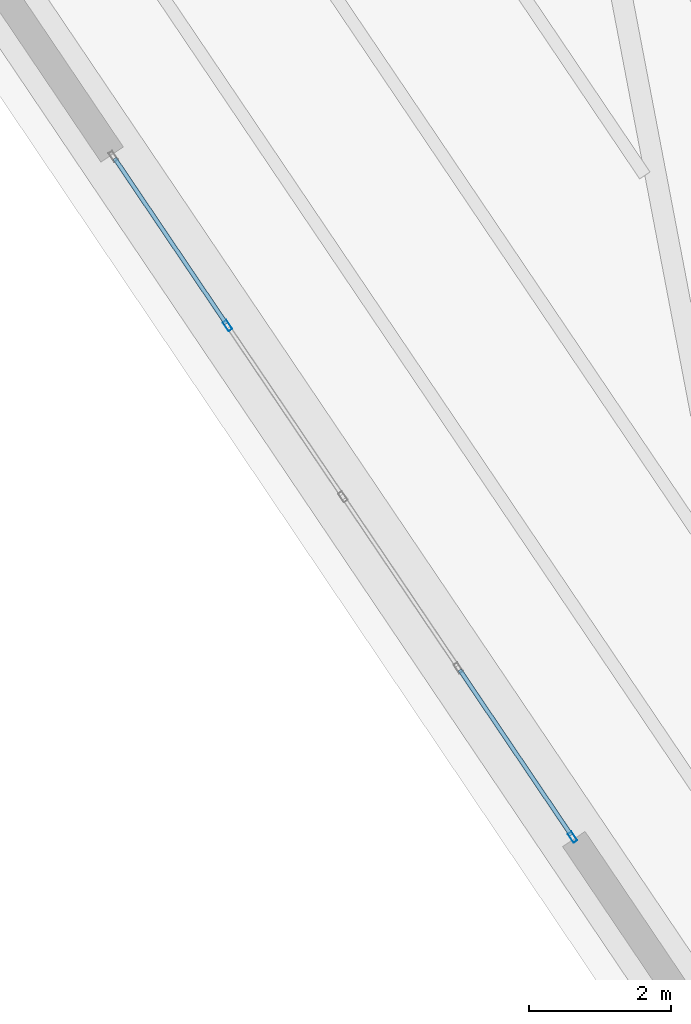
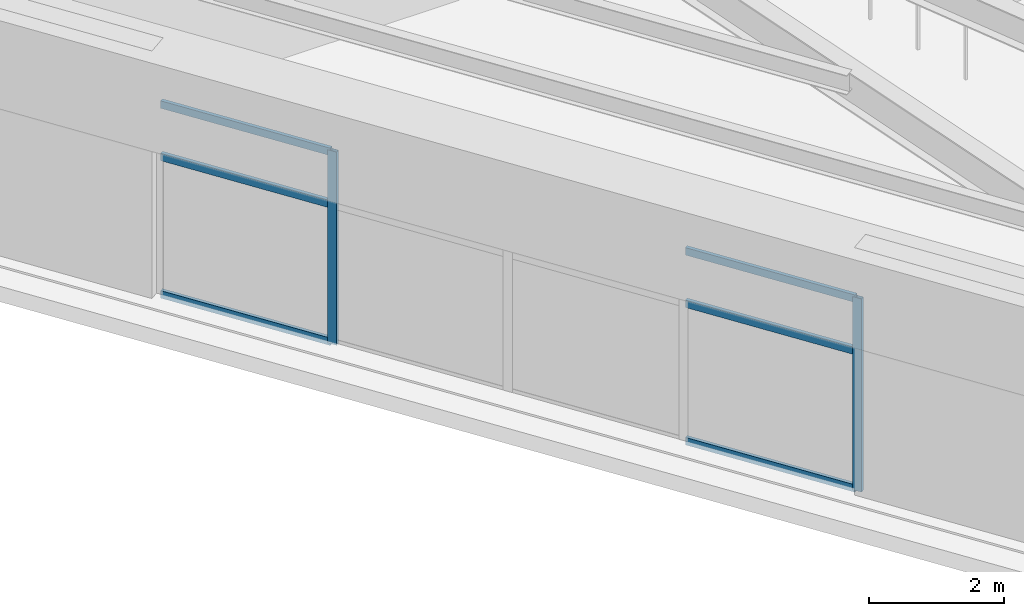
# One storey, part 2 of 40: 8 members, 1 element without a shape of its own.
"""IFC4 building model written with IfcOpenShell, lengths in metres."""

from ifc_helpers import new_model, si_unit, direction, frame, origin, origin_2d, place, context, subcontext, project, spatial, hollow_rectangle, extrude, source, transform, mapped, material, layer, layer_set, material_profile, profile_set, type_object, element, aggregate, save


model = new_model("IFC4")

# Units and contexts
model_context = context("Model", 3, precision=1e-05, world=origin(), true_north=direction((0.0, 1.0)))
body_context = subcontext(model_context, "Body", "Model", "MODEL_VIEW")
ifc_project = project(units=[si_unit("LENGTHUNIT", "METRE"), si_unit("AREAUNIT", "SQUARE_METRE"), si_unit("VOLUMEUNIT", "CUBIC_METRE"), si_unit("PLANEANGLEUNIT", "RADIAN"), si_unit("MASSUNIT", "GRAM", prefix="KILO")], contexts=[model_context])

# Site, building, storey
site_placement = place(None, origin())
site = spatial("IfcSite", under=ifc_project, at=site_placement, CompositionType="ELEMENT")
building_placement = place(site_placement, origin())
building = spatial("IfcBuilding", under=site, at=building_placement, Name="Liaohun Quay Tower", CompositionType="ELEMENT")
storey_placement = place(building_placement, frame((0.0, 0.0, 351.0)))
storey = spatial("IfcBuildingStorey", under=building, at=storey_placement, Name="L91", CompositionType="ELEMENT", Elevation=351.0)

# Curtain wall, members
ifc_material_1 = material(Name="Observation gallery panoramic triple-glazed curtain wall")
ifc_layer = layer(ifc_material_1, 0.219970703125, Name="Observation gallery panoramic triple-glazed curtain wall")
ifc_layer_set = layer_set([ifc_layer], Name="Observation gallery panoramic triple-glazed curtain wall")
curtain_wall_type = type_object("IfcCurtainWallType", Name="CW-OBS-CRN", PredefinedType="NOTDEFINED", material=ifc_layer_set)
curtain_wall_placement = place(storey_placement, origin())
curtain_wall = element("IfcCurtainWall", 1, at=curtain_wall_placement, inside=storey, type_object=curtain_wall_type, Name="L91 Panoramic Belvedere Curtain Wall 06", PredefinedType="NOTDEFINED")
ifc_material_2 = material(Name="Anodised aluminium 6063-T6", Category="aluminium")
ifc_material_profile_1 = material_profile(ifc_material_2, hollow_rectangle(XDim=0.06494140625, YDim=0.14990234375, WallThickness=0.00390625, at=origin_2d()), Name="RHS150x65x4")
ifc_profile_set_1 = profile_set([ifc_material_profile_1], Name="Anodised aluminium 6063-T6")
member_type_1 = type_object("IfcMemberType", Name="MEM-CWM-SKY", PredefinedType="MULLION", material=ifc_profile_set_1)
shared_shape_1 = source(origin(), body_context, "Body", "SweptSolid", [
    extrude(hollow_rectangle(XDim=0.06494140625, YDim=0.14990234375, WallThickness=0.00390625, at=origin_2d()), origin(), (0.0, 0.0, 1.0), 3.5),
])
member_1_placement = place(storey_placement, frame((46.40478515625, 36.94580078125, 0.0), z_axis=(0.0, 0.0, 1.0), x_axis=(0.829027517821, 0.559207809937, 0.0)))
member_1 = element("IfcMember", 2, at=member_1_placement, type_object=member_type_1, Name="CW6 mullion 2", PredefinedType="MULLION", context=body_context, shape_type="MappedRepresentation", body=[
    mapped(shared_shape_1, transform((0.0, 0.0, 0.0), x_axis=(1.0, 0.0, 0.0), y_axis=(0.0, 1.0, 0.0), z_axis=(0.0, 0.0, 1.0), scale=1.0)),
])
member_2_placement = place(storey_placement, frame((51.251708984375, 29.760009765625, 0.0), z_axis=(0.0, 0.0, 1.0), x_axis=(0.829027517821, 0.559207809937, 0.0)))
member_2 = element("IfcMember", 3, at=member_2_placement, type_object=member_type_1, Name="CW6 mullion 5", PredefinedType="MULLION", context=body_context, shape_type="MappedRepresentation", body=[
    mapped(shared_shape_1, transform((0.0, 0.0, 0.0), x_axis=(1.0, 0.0, 0.0), y_axis=(0.0, 1.0, 0.0), z_axis=(0.0, 0.0, 1.0), scale=1.0)),
])
ifc_material_profile_2 = material_profile(ifc_material_2, hollow_rectangle(XDim=0.06005859375, YDim=0.135009765625, WallThickness=0.00390625, at=origin_2d()), Name="RHS135x60x4")
ifc_profile_set_2 = profile_set([ifc_material_profile_2], Name="Anodised aluminium 6063-T6")
member_type_2 = type_object("IfcMemberType", Name="MEM-CWT-SKY", PredefinedType="USERDEFINED", material=ifc_profile_set_2)
shared_shape_2 = source(origin(), body_context, "Body", "SweptSolid", [
    extrude(hollow_rectangle(XDim=0.06005859375, YDim=0.135009765625, WallThickness=0.00390625, at=origin_2d()), origin(), (0.0, 0.0, 1.0), 2.802490234375),
])
member_3_placement = place(storey_placement, frame((44.8193359375, 39.296142578125, 0.030029296875), z_axis=(0.559175087932, -0.829049589009, 0.0), x_axis=(0.829049589009, 0.559175087932, 0.0)))
member_3 = element("IfcMember", 4, at=member_3_placement, type_object=member_type_2, Name="CW6 transom 1.1", ObjectType="TRANSOM", PredefinedType="USERDEFINED", context=body_context, shape_type="MappedRepresentation", body=[
    mapped(shared_shape_2, transform((0.0, 0.0, 0.0), x_axis=(1.0, 0.0, 0.0), y_axis=(0.0, 1.0, 0.0), z_axis=(0.0, 0.0, 1.0), scale=1.0)),
])
member_4_placement = place(storey_placement, frame((44.8193359375, 39.296142578125, 2.52001953125), z_axis=(0.559175087932, -0.829049589009, 0.0), x_axis=(0.829049589009, 0.559175087932, 0.0)))
member_4 = element("IfcMember", 5, at=member_4_placement, type_object=member_type_2, Name="CW6 transom 1.2", ObjectType="TRANSOM", PredefinedType="USERDEFINED", context=body_context, shape_type="MappedRepresentation", body=[
    mapped(shared_shape_2, transform((0.0, 0.0, 0.0), x_axis=(1.0, 0.0, 0.0), y_axis=(0.0, 1.0, 0.0), z_axis=(0.0, 0.0, 1.0), scale=1.0)),
])
member_5_placement = place(storey_placement, frame((44.8193359375, 39.296142578125, 3.469970703125), z_axis=(0.559175087932, -0.829049589009, 0.0), x_axis=(0.829049589009, 0.559175087932, 0.0)))
member_5 = element("IfcMember", 6, at=member_5_placement, type_object=member_type_2, Name="CW6 transom 1.3", ObjectType="TRANSOM", PredefinedType="USERDEFINED", context=body_context, shape_type="MappedRepresentation", body=[
    mapped(shared_shape_2, transform((0.0, 0.0, 0.0), x_axis=(1.0, 0.0, 0.0), y_axis=(0.0, 1.0, 0.0), z_axis=(0.0, 0.0, 1.0), scale=1.0)),
])
member_6_placement = place(storey_placement, frame((49.66650390625, 32.1103515625, 0.030029296875), z_axis=(0.559175087932, -0.829049589009, 0.0), x_axis=(0.829049589009, 0.559175087932, 0.0)))
member_6 = element("IfcMember", 7, at=member_6_placement, type_object=member_type_2, Name="CW6 transom 4.1", ObjectType="TRANSOM", PredefinedType="USERDEFINED", context=body_context, shape_type="MappedRepresentation", body=[
    mapped(shared_shape_2, transform((0.0, 0.0, 0.0), x_axis=(1.0, 0.0, 0.0), y_axis=(0.0, 1.0, 0.0), z_axis=(0.0, 0.0, 1.0), scale=1.0)),
])
member_7_placement = place(storey_placement, frame((49.66650390625, 32.1103515625, 2.52001953125), z_axis=(0.559175087932, -0.829049589009, 0.0), x_axis=(0.829049589009, 0.559175087932, 0.0)))
member_7 = element("IfcMember", 8, at=member_7_placement, type_object=member_type_2, Name="CW6 transom 4.2", ObjectType="TRANSOM", PredefinedType="USERDEFINED", context=body_context, shape_type="MappedRepresentation", body=[
    mapped(shared_shape_2, transform((0.0, 0.0, 0.0), x_axis=(1.0, 0.0, 0.0), y_axis=(0.0, 1.0, 0.0), z_axis=(0.0, 0.0, 1.0), scale=1.0)),
])
member_8_placement = place(storey_placement, frame((49.66650390625, 32.1103515625, 3.469970703125), z_axis=(0.559175087932, -0.829049589009, 0.0), x_axis=(0.829049589009, 0.559175087932, 0.0)))
member_8 = element("IfcMember", 9, at=member_8_placement, type_object=member_type_2, Name="CW6 transom 4.3", ObjectType="TRANSOM", PredefinedType="USERDEFINED", context=body_context, shape_type="MappedRepresentation", body=[
    mapped(shared_shape_2, transform((0.0, 0.0, 0.0), x_axis=(1.0, 0.0, 0.0), y_axis=(0.0, 1.0, 0.0), z_axis=(0.0, 0.0, 1.0), scale=1.0)),
])
aggregate(curtain_wall, [member_1, member_2, member_3, member_4, member_5, member_6, member_7, member_8])

save(model, "model.ifc")
